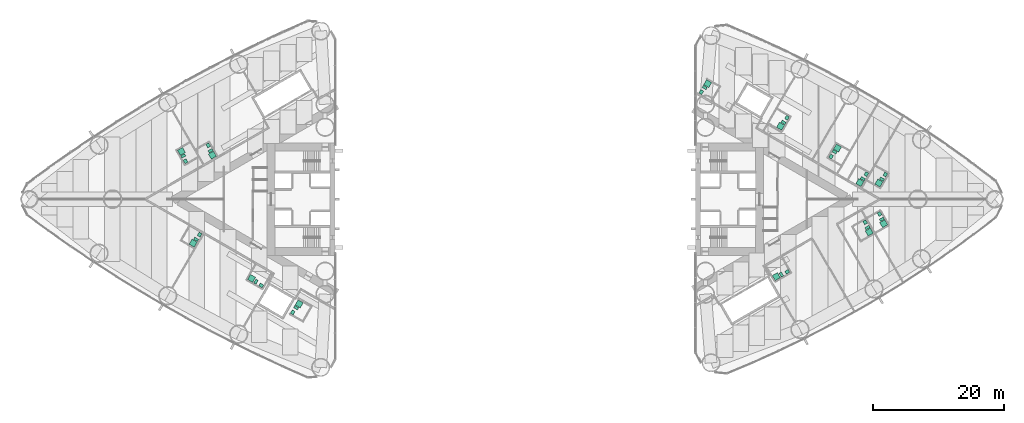
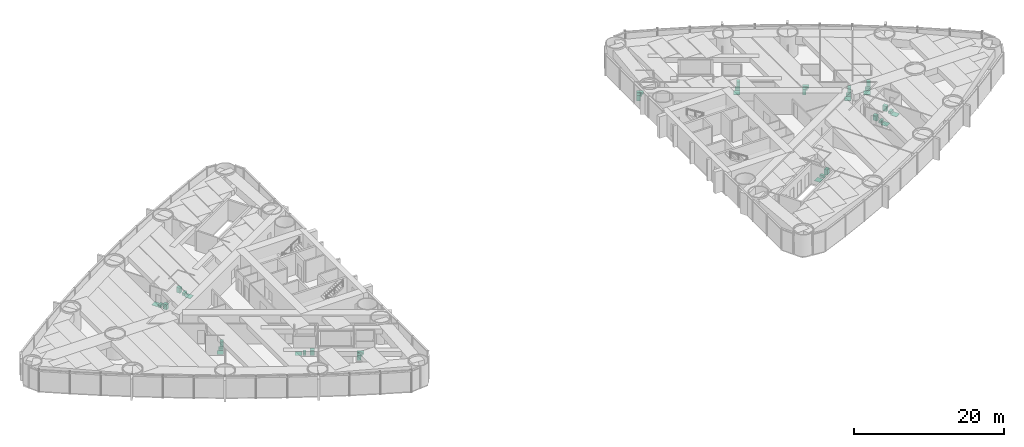
# One storey, part 19 of 19: 17 sanitary terminals.
"""IFC4 building model written with IfcOpenShell, lengths in metres."""

from ifc_helpers import new_model, si_unit, direction, frame, origin, origin_2d, place, context, subcontext, project, spatial, rectangle, extrude, material, type_object, element, save


model = new_model("IFC4")

# Units and contexts
model_context = context("Model", 3, precision=1e-05, world=origin(), true_north=direction((0.0, 1.0)))
body_context = subcontext(model_context, "Body", "Model", "MODEL_VIEW")
ifc_project = project(units=[si_unit("LENGTHUNIT", "METRE"), si_unit("AREAUNIT", "SQUARE_METRE"), si_unit("VOLUMEUNIT", "CUBIC_METRE"), si_unit("PLANEANGLEUNIT", "RADIAN"), si_unit("MASSUNIT", "GRAM", prefix="KILO")], contexts=[model_context])

# Site, building, storey
site_placement = place(None, origin())
site = spatial("IfcSite", under=ifc_project, at=site_placement, CompositionType="ELEMENT")
building_placement = place(site_placement, origin())
building = spatial("IfcBuilding", under=site, at=building_placement, Name="Lancet Gate Hotel", CompositionType="ELEMENT")
storey_placement = place(building_placement, frame((0.0, 0.0, 21.5)))
storey = spatial("IfcBuildingStorey", under=building, at=storey_placement, Name="L04", CompositionType="ELEMENT", Elevation=21.5)

# Sanitary terminals
ifc_material_1 = material(Name="Vitreous china sanitary ware")
sanitary_terminal_type_1 = type_object("IfcSanitaryTerminalType", Name="En-suite sanitary set (shower, WC, basin)", PredefinedType="USERDEFINED", material=ifc_material_1)
sanitary_terminal_1_placement = place(storey_placement, frame((-50.99169921875, 7.2958984375, 0.0), z_axis=(0.0, 0.0, 1.0), x_axis=(1.0, 0.0, 0.0)))
element("IfcSanitaryTerminal", 1, at=sanitary_terminal_1_placement, inside=storey, type_object=sanitary_terminal_type_1, Name="En-suite sanitary set (shower, WC, basin) 0403", ObjectType="EN-SUITE SANITARY SET", PredefinedType="USERDEFINED", context=body_context, shape_type="SweptSolid", body=[
    extrude(rectangle(XDim=0.89990234375, YDim=0.89990234375, at=origin_2d()), frame((0.0, 0.0, 0.0), z_axis=(0.0, 0.0, 1.0), x_axis=(-0.5, 0.866025403784, 0.0)), (0.0, 0.0, 1.0), 0.050048828125),
    extrude(rectangle(XDim=0.39990234375, YDim=0.699951171875, at=origin_2d()), frame((0.278564453125, -0.682373046875, 0.0), z_axis=(0.0, 0.0, 1.0), x_axis=(-0.5, 0.866025403784, 0.0)), (0.0, 0.0, 1.0), 0.39990234375),
    extrude(rectangle(XDim=0.60009765625, YDim=0.5, at=origin_2d()), frame((0.6318359375, -1.494384765625, 0.0), z_axis=(0.0, 0.0, 1.0), x_axis=(-0.5, 0.866025403784, 0.0)), (0.0, 0.0, 1.0), 0.85009765625),
])
sanitary_terminal_2_placement = place(storey_placement, frame((-49.200439453125, -6.71337890625, 0.0), z_axis=(0.0, 0.0, 1.0), x_axis=(1.0, 0.0, 0.0)))
element("IfcSanitaryTerminal", 2, at=sanitary_terminal_2_placement, inside=storey, type_object=sanitary_terminal_type_1, Name="En-suite sanitary set (shower, WC, basin) 0405", ObjectType="EN-SUITE SANITARY SET", PredefinedType="USERDEFINED", context=body_context, shape_type="SweptSolid", body=[
    extrude(rectangle(XDim=0.89990234375, YDim=0.89990234375, at=origin_2d()), frame((0.0, 0.0, 0.0), z_axis=(0.0, 0.0, 1.0), x_axis=(-0.5, -0.866025403784, 0.0)), (0.0, 0.0, 1.0), 0.050048828125),
    extrude(rectangle(XDim=0.39990234375, YDim=0.699951171875, at=origin_2d()), frame((0.45166015625, 0.582275390625, 0.0), z_axis=(0.0, 0.0, 1.0), x_axis=(-0.5, -0.866025403784, 0.0)), (0.0, 0.0, 1.0), 0.39990234375),
    extrude(rectangle(XDim=0.60009765625, YDim=0.5, at=origin_2d()), frame((0.978271484375, 1.29443359375, 0.0), z_axis=(0.0, 0.0, 1.0), x_axis=(-0.5, -0.866025403784, 0.0)), (0.0, 0.0, 1.0), 0.85009765625),
])
sanitary_terminal_3_placement = place(storey_placement, frame((-46.261962890625, 6.72412109375, 0.0), z_axis=(0.0, 0.0, 1.0), x_axis=(1.0, 0.0, 0.0)))
element("IfcSanitaryTerminal", 3, at=sanitary_terminal_3_placement, inside=storey, type_object=sanitary_terminal_type_1, Name="En-suite sanitary set (shower, WC, basin) 0402", ObjectType="EN-SUITE SANITARY SET", PredefinedType="USERDEFINED", context=body_context, shape_type="SweptSolid", body=[
    extrude(rectangle(XDim=0.89990234375, YDim=0.89990234375, at=origin_2d()), frame((0.0, 0.0, 0.0), z_axis=(0.0, 0.0, 1.0), x_axis=(0.5, -0.866025403784, 0.0)), (0.0, 0.0, 1.0), 0.050048828125),
    extrude(rectangle(XDim=0.39990234375, YDim=0.699951171875, at=origin_2d()), frame((-0.2783203125, 0.68212890625, 0.0), z_axis=(0.0, 0.0, 1.0), x_axis=(0.5, -0.866025403784, 0.0)), (0.0, 0.0, 1.0), 0.39990234375),
    extrude(rectangle(XDim=0.60009765625, YDim=0.5, at=origin_2d()), frame((-0.6318359375, 1.494140625, 0.0), z_axis=(0.0, 0.0, 1.0), x_axis=(0.5, -0.866025403784, 0.0)), (0.0, 0.0, 1.0), 0.85009765625),
])
sanitary_terminal_4_placement = place(storey_placement, frame((-33.0107421875, -15.9912109375, 0.0), z_axis=(0.0, 0.0, 1.0), x_axis=(1.0, 0.0, 0.0)))
element("IfcSanitaryTerminal", 4, at=sanitary_terminal_4_placement, inside=storey, type_object=sanitary_terminal_type_1, Name="En-suite sanitary set (shower, WC, basin) 0408", ObjectType="EN-SUITE SANITARY SET", PredefinedType="USERDEFINED", context=body_context, shape_type="SweptSolid", body=[
    extrude(rectangle(XDim=0.89990234375, YDim=0.89990234375, at=origin_2d()), frame((0.0, 0.0, 0.0), z_axis=(0.0, 0.0, 1.0), x_axis=(0.5, 0.866025403784, 0.0)), (0.0, 0.0, 1.0), 0.050048828125),
    extrude(rectangle(XDim=0.39990234375, YDim=0.699951171875, at=origin_2d()), frame((-0.45166015625, -0.582275390625, 0.0), z_axis=(0.0, 0.0, 1.0), x_axis=(0.5, 0.866025403784, 0.0)), (0.0, 0.0, 1.0), 0.39990234375),
    extrude(rectangle(XDim=0.60009765625, YDim=0.5, at=origin_2d()), frame((-0.978271484375, -1.294189453125, 0.0), z_axis=(0.0, 0.0, 1.0), x_axis=(0.5, 0.866025403784, 0.0)), (0.0, 0.0, 1.0), 0.85009765625),
])
sanitary_terminal_5_placement = place(storey_placement, frame((54.071044921875, -5.017822265625, 0.0), z_axis=(0.0, 0.0, 1.0), x_axis=(1.0, 0.0, 0.0)))
element("IfcSanitaryTerminal", 5, at=sanitary_terminal_5_placement, inside=storey, type_object=sanitary_terminal_type_1, Name="En-suite sanitary set (shower, WC, basin) 0456", ObjectType="EN-SUITE SANITARY SET", PredefinedType="USERDEFINED", context=body_context, shape_type="SweptSolid", body=[
    extrude(rectangle(XDim=0.89990234375, YDim=0.89990234375, at=origin_2d()), frame((0.0, 0.0, 0.0), z_axis=(0.0, 0.0, 1.0), x_axis=(0.5, -0.866025403784, 0.0)), (0.0, 0.0, 1.0), 0.050048828125),
    extrude(rectangle(XDim=0.39990234375, YDim=0.699951171875, at=origin_2d()), frame((-0.2783203125, 0.68212890625, 0.0), z_axis=(0.0, 0.0, 1.0), x_axis=(0.5, -0.866025403784, 0.0)), (0.0, 0.0, 1.0), 0.39990234375),
    extrude(rectangle(XDim=0.60009765625, YDim=0.5, at=origin_2d()), frame((-0.6318359375, 1.494384765625, 0.0), z_axis=(0.0, 0.0, 1.0), x_axis=(0.5, -0.866025403784, 0.0)), (0.0, 0.0, 1.0), 0.85009765625),
])
sanitary_terminal_6_placement = place(storey_placement, frame((56.279541015625, -3.742919921875, 0.0), z_axis=(0.0, 0.0, 1.0), x_axis=(1.0, 0.0, 0.0)))
element("IfcSanitaryTerminal", 6, at=sanitary_terminal_6_placement, inside=storey, type_object=sanitary_terminal_type_1, Name="En-suite sanitary set (shower, WC, basin) 0457", ObjectType="EN-SUITE SANITARY SET", PredefinedType="USERDEFINED", context=body_context, shape_type="SweptSolid", body=[
    extrude(rectangle(XDim=0.89990234375, YDim=0.89990234375, at=origin_2d()), frame((0.0, 0.0, 0.0), z_axis=(0.0, 0.0, 1.0), x_axis=(0.5, -0.866025403784, 0.0)), (0.0, 0.0, 1.0), 0.050048828125),
    extrude(rectangle(XDim=0.39990234375, YDim=0.699951171875, at=origin_2d()), frame((-0.2783203125, 0.682373046875, 0.0), z_axis=(0.0, 0.0, 1.0), x_axis=(0.5, -0.866025403784, 0.0)), (0.0, 0.0, 1.0), 0.39990234375),
    extrude(rectangle(XDim=0.60009765625, YDim=0.5, at=origin_2d()), frame((-0.6318359375, 1.494384765625, 0.0), z_axis=(0.0, 0.0, 1.0), x_axis=(0.5, -0.866025403784, 0.0)), (0.0, 0.0, 1.0), 0.85009765625),
])
sanitary_terminal_7_placement = place(storey_placement, frame((55.549560546875, 2.478515625, 0.0), z_axis=(0.0, 0.0, 1.0), x_axis=(1.0, 0.0, 0.0)))
element("IfcSanitaryTerminal", 7, at=sanitary_terminal_7_placement, inside=storey, type_object=sanitary_terminal_type_1, Name="En-suite sanitary set (shower, WC, basin) 0458", ObjectType="EN-SUITE SANITARY SET", PredefinedType="USERDEFINED", context=body_context, shape_type="SweptSolid", body=[
    extrude(rectangle(XDim=0.89990234375, YDim=0.89990234375, at=origin_2d()), frame((0.0, 0.0, 0.0), z_axis=(0.0, 0.0, 1.0), x_axis=(-0.5, -0.866025403784, 0.0)), (0.0, 0.0, 1.0), 0.050048828125),
    extrude(rectangle(XDim=0.39990234375, YDim=0.699951171875, at=origin_2d()), frame((0.45166015625, 0.58203125, 0.0), z_axis=(0.0, 0.0, 1.0), x_axis=(-0.5, -0.866025403784, 0.0)), (0.0, 0.0, 1.0), 0.39990234375),
    extrude(rectangle(XDim=0.60009765625, YDim=0.5, at=origin_2d()), frame((0.97802734375, 1.294189453125, 0.0), z_axis=(0.0, 0.0, 1.0), x_axis=(-0.5, -0.866025403784, 0.0)), (0.0, 0.0, 1.0), 0.85009765625),
])
sanitary_terminal_8_placement = place(storey_placement, frame((52.64111328125, 2.541015625, 0.0), z_axis=(0.0, 0.0, 1.0), x_axis=(1.0, 0.0, 0.0)))
element("IfcSanitaryTerminal", 8, at=sanitary_terminal_8_placement, inside=storey, type_object=sanitary_terminal_type_1, Name="En-suite sanitary set (shower, WC, basin) 0459", ObjectType="EN-SUITE SANITARY SET", PredefinedType="USERDEFINED", context=body_context, shape_type="SweptSolid", body=[
    extrude(rectangle(XDim=0.89990234375, YDim=0.89990234375, at=origin_2d()), frame((0.0, 0.0, 0.0), z_axis=(0.0, 0.0, 1.0), x_axis=(-0.5, -0.866025403784, 0.0)), (0.0, 0.0, 1.0), 0.050048828125),
    extrude(rectangle(XDim=0.39990234375, YDim=0.699951171875, at=origin_2d()), frame((0.45166015625, 0.582275390625, 0.0), z_axis=(0.0, 0.0, 1.0), x_axis=(-0.5, -0.866025403784, 0.0)), (0.0, 0.0, 1.0), 0.39990234375),
    extrude(rectangle(XDim=0.60009765625, YDim=0.5, at=origin_2d()), frame((0.978271484375, 1.294189453125, 0.0), z_axis=(0.0, 0.0, 1.0), x_axis=(-0.5, -0.866025403784, 0.0)), (0.0, 0.0, 1.0), 0.85009765625),
])
sanitary_terminal_9_placement = place(storey_placement, frame((49.224853515625, 7.81591796875, 0.0), z_axis=(0.0, 0.0, 1.0), x_axis=(1.0, 0.0, 0.0)))
element("IfcSanitaryTerminal", 9, at=sanitary_terminal_9_placement, inside=storey, type_object=sanitary_terminal_type_1, Name="En-suite sanitary set (shower, WC, basin) 0460", ObjectType="EN-SUITE SANITARY SET", PredefinedType="USERDEFINED", context=body_context, shape_type="SweptSolid", body=[
    extrude(rectangle(XDim=0.89990234375, YDim=0.89990234375, at=origin_2d()), frame((0.0, 0.0, 0.0), z_axis=(0.0, 0.0, 1.0), x_axis=(0.5, 0.866025403784, 0.0)), (0.0, 0.0, 1.0), 0.050048828125),
    extrude(rectangle(XDim=0.39990234375, YDim=0.699951171875, at=origin_2d()), frame((-0.45166015625, -0.582275390625, 0.0), z_axis=(0.0, 0.0, 1.0), x_axis=(0.5, 0.866025403784, 0.0)), (0.0, 0.0, 1.0), 0.39990234375),
    extrude(rectangle(XDim=0.60009765625, YDim=0.5, at=origin_2d()), frame((-0.978271484375, -1.29443359375, 0.0), z_axis=(0.0, 0.0, 1.0), x_axis=(0.5, 0.866025403784, 0.0)), (0.0, 0.0, 1.0), 0.85009765625),
])
sanitary_terminal_10_placement = place(storey_placement, frame((40.530029296875, 11.14990234375, 0.0), z_axis=(0.0, 0.0, 1.0), x_axis=(1.0, 0.0, 0.0)))
element("IfcSanitaryTerminal", 10, at=sanitary_terminal_10_placement, inside=storey, type_object=sanitary_terminal_type_1, Name="En-suite sanitary set (shower, WC, basin) 0461", ObjectType="EN-SUITE SANITARY SET", PredefinedType="USERDEFINED", context=body_context, shape_type="SweptSolid", body=[
    extrude(rectangle(XDim=0.89990234375, YDim=0.89990234375, at=origin_2d()), frame((0.0, 0.0, 0.0), z_axis=(0.0, 0.0, 1.0), x_axis=(-0.5, -0.866025403784, 0.0)), (0.0, 0.0, 1.0), 0.050048828125),
    extrude(rectangle(XDim=0.39990234375, YDim=0.699951171875, at=origin_2d()), frame((0.45166015625, 0.582275390625, 0.0), z_axis=(0.0, 0.0, 1.0), x_axis=(-0.5, -0.866025403784, 0.0)), (0.0, 0.0, 1.0), 0.39990234375),
    extrude(rectangle(XDim=0.60009765625, YDim=0.5, at=origin_2d()), frame((0.978271484375, 1.294189453125, 0.0), z_axis=(0.0, 0.0, 1.0), x_axis=(-0.5, -0.866025403784, 0.0)), (0.0, 0.0, 1.0), 0.85009765625),
])
sanitary_terminal_11_placement = place(storey_placement, frame((29.390380859375, 17.650634765625, 0.0), z_axis=(0.0, 0.0, 1.0), x_axis=(1.0, 0.0, 0.0)))
element("IfcSanitaryTerminal", 11, at=sanitary_terminal_11_placement, inside=storey, type_object=sanitary_terminal_type_1, Name="En-suite sanitary set (shower, WC, basin) 0463", ObjectType="EN-SUITE SANITARY SET", PredefinedType="USERDEFINED", context=body_context, shape_type="SweptSolid", body=[
    extrude(rectangle(XDim=0.89990234375, YDim=0.89990234375, at=origin_2d()), frame((0.0, 0.0, 0.0), z_axis=(0.0, 0.0, 1.0), x_axis=(0.5, 0.866025403784, 0.0)), (0.0, 0.0, 1.0), 0.050048828125),
    extrude(rectangle(XDim=0.39990234375, YDim=0.699951171875, at=origin_2d()), frame((-0.451416015625, -0.582275390625, 0.0), z_axis=(0.0, 0.0, 1.0), x_axis=(0.5, 0.866025403784, 0.0)), (0.0, 0.0, 1.0), 0.39990234375),
    extrude(rectangle(XDim=0.60009765625, YDim=0.5, at=origin_2d()), frame((-0.97802734375, -1.29443359375, 0.0), z_axis=(0.0, 0.0, 1.0), x_axis=(0.5, 0.866025403784, 0.0)), (0.0, 0.0, 1.0), 0.85009765625),
])
ifc_material_2 = material(Name="Stone resin shower tray", Category="masonry")
sanitary_terminal_type_2 = type_object("IfcSanitaryTerminalType", Name="Shower tray 900", PredefinedType="SHOWER", material=ifc_material_2)
for number, where, z_axis, x_axis, name in (
    (12, (-40.2763671875, -12.0966796875, 0.0), (0.0, 0.0, 1.0), (-0.866025403784, 0.5, 0.0), "Shower tray 900 0407"),
    (13, (39.87841796875, -11.826416015625, 0.0), (0.0, 0.0, 1.0), (-0.866025403784, -0.5, 0.0), "Shower tray 900 0453"),
):
    element("IfcSanitaryTerminal", number, at=place(storey_placement, frame(where, z_axis=z_axis, x_axis=x_axis)), inside=storey, type_object=sanitary_terminal_type_2, Name=name, PredefinedType="SHOWER", context=body_context, shape_type="SweptSolid", body=[
        extrude(rectangle(XDim=0.89990234375, YDim=0.89990234375, at=origin_2d()), origin(), (0.0, 0.0, 1.0), 0.050048828125),
    ])
ifc_material_3 = material(Name="Vitreous china sanitary ware")
sanitary_terminal_type_3 = type_object("IfcSanitaryTerminalType", Name="Vanity basin 600", PredefinedType="WASHHANDBASIN", material=ifc_material_3)
for number, where, z_axis, x_axis, name in (
    (14, (-38.808837890625, -13.1748046875, 0.0), (0.0, 0.0, 1.0), (-0.866025403784, 0.5, 0.0), "Vanity basin 600 0407"),
    (15, (41.5458984375, -11.094482421875, 0.0), (0.0, 0.0, 1.0), (-0.866025403784, -0.5, 0.0), "Vanity basin 600 0453"),
):
    element("IfcSanitaryTerminal", number, at=place(storey_placement, frame(where, z_axis=z_axis, x_axis=x_axis)), inside=storey, type_object=sanitary_terminal_type_3, Name=name, PredefinedType="WASHHANDBASIN", context=body_context, shape_type="SweptSolid", body=[
        extrude(rectangle(XDim=0.60009765625, YDim=0.5, at=origin_2d()), origin(), (0.0, 0.0, 1.0), 0.85009765625),
    ])
ifc_material_4 = material(Name="Vitreous china sanitary ware")
sanitary_terminal_type_4 = type_object("IfcSanitaryTerminalType", Name="WC pan wall hung", PredefinedType="TOILETPAN", material=ifc_material_4)
for number, where, z_axis, x_axis, name in (
    (16, (-39.607421875, -12.59814453125, 0.0), (0.0, 0.0, 1.0), (-0.866025403784, 0.5, 0.0), "WC pan wall hung 0407"),
    (17, (40.647216796875, -11.497802734375, 0.0), (0.0, 0.0, 1.0), (-0.866025403784, -0.5, 0.0), "WC pan wall hung 0453"),
):
    element("IfcSanitaryTerminal", number, at=place(storey_placement, frame(where, z_axis=z_axis, x_axis=x_axis)), inside=storey, type_object=sanitary_terminal_type_4, Name=name, PredefinedType="TOILETPAN", context=body_context, shape_type="SweptSolid", body=[
        extrude(rectangle(XDim=0.39990234375, YDim=0.699951171875, at=origin_2d()), origin(), (0.0, 0.0, 1.0), 0.39990234375),
    ])

save(model, "model.ifc")
